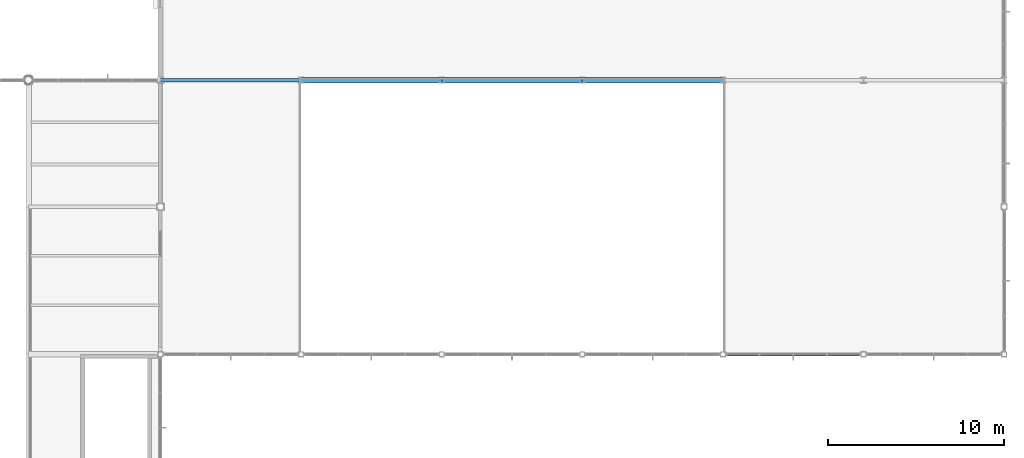
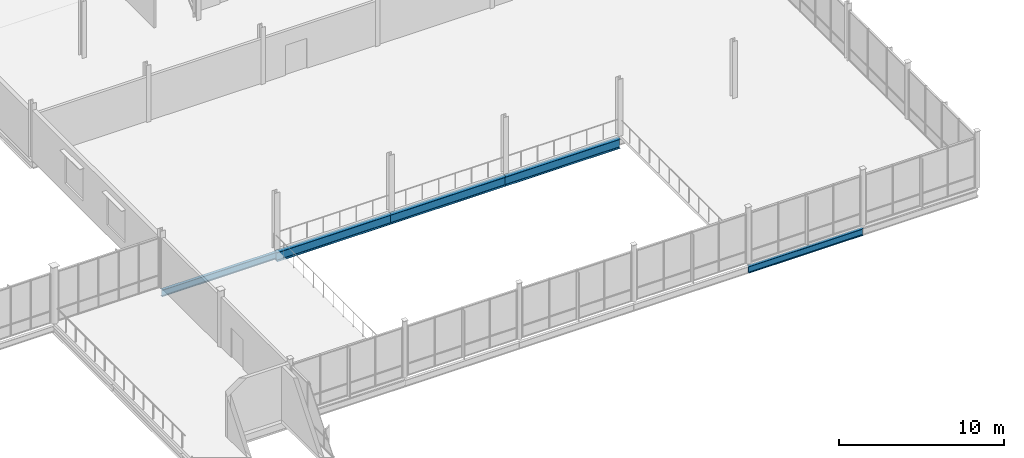
# One storey, part 28 of 75: 5 beams.
"""IFC4 building model written with IfcOpenShell, lengths in metres."""

import ifcopenshell
import ifcopenshell.guid

model = None  # the IFC model being written
_history = None  # IfcOwnerHistory: only IFC2X3 demands one
_inside = {}  # id of a spatial element -> (the spatial element, [elements in it])
_under = {}  # id of a project, library or spatial element -> (it, [spatial elements below it])
_declared = {}  # id of a project -> (the project, [libraries it declares])
_typed = {}  # id of a type object -> (the type object, [elements of that type])
_made_of = {}  # id of a material, layer set ... -> (it, [elements and type objects made of it])


def new_model(schema):
    """Start an empty IFC model of exactly this schema.

    Asked for "IFC4X3", IfcOpenShell would pick the latest addendum, in which some entities
    have other attributes; the version numbers below select the first issue.
    IFC2X3 requires an IfcOwnerHistory on every rooted entity: one is made here for all.
    """
    global model, _history
    if schema == "IFC4X3":
        model = ifcopenshell.file(schema_version=(4, 3, 0, 0))
    else:
        model = ifcopenshell.file(schema=schema)
    _inside.clear()
    _under.clear()
    _declared.clear()
    _typed.clear()
    _made_of.clear()
    _history = None
    if model.schema == "IFC2X3":
        org = make("IfcOrganization", Name="unknown")
        user = make(
            "IfcPersonAndOrganization",
            ThePerson=make("IfcPerson", FamilyName="unknown"),
            TheOrganization=org,
        )
        app = make(
            "IfcApplication",
            ApplicationDeveloper=org,
            Version="unknown",
            ApplicationFullName="unknown",
            ApplicationIdentifier="unknown",
        )
        _history = make(
            "IfcOwnerHistory",
            OwningUser=user,
            OwningApplication=app,
            ChangeAction="ADDED",
            CreationDate=0,
        )
    return model


def make(cls, **values):
    """One entity of the class cls with the attributes given. An attribute that is None is left unset."""
    return model.create_entity(
        cls, **{name: value for name, value in values.items() if value is not None}
    )


def rooted(cls, **values):
    """An entity with a GlobalId (a new one), such as an element, a storey or a relation."""
    return make(cls, GlobalId=ifcopenshell.guid.new(), OwnerHistory=_history, **values)


def si_unit(unit_type, name, prefix=None):
    """IfcSIUnit, for example si_unit("LENGTHUNIT", "METRE", prefix="MILLI")."""
    return make("IfcSIUnit", UnitType=unit_type, Prefix=prefix, Name=name)


def assignment(units):
    """IfcUnitAssignment: the units of a project."""
    return None if units is None else make("IfcUnitAssignment", Units=units)


def point(xyz):
    """IfcCartesianPoint."""
    return None if xyz is None else make("IfcCartesianPoint", Coordinates=xyz)


def direction(xyz):
    """IfcDirection."""
    return None if xyz is None else make("IfcDirection", DirectionRatios=xyz)


def frame(location, z_axis=None, x_axis=None):
    """IfcAxis2Placement3D, a coordinate frame: its origin and axes. An axis left out is left unset."""
    return make(
        "IfcAxis2Placement3D",
        Location=point(location),
        Axis=direction(z_axis),
        RefDirection=direction(x_axis),
    )


def frame_2d(location, x_axis=None):
    """IfcAxis2Placement2D, a coordinate frame in the plane: its origin and x axis."""
    return make(
        "IfcAxis2Placement2D", Location=point(location), RefDirection=direction(x_axis)
    )


def origin():
    """The frame at (0, 0, 0) with its axes left unset."""
    return frame((0.0, 0.0, 0.0))


def origin_2d():
    """The frame at (0, 0) in the plane with its x axis left unset."""
    return frame_2d((0.0, 0.0))


def place(relative_to, where):
    """IfcLocalPlacement: puts the frame where relative to a parent placement (None: the world)."""
    return make(
        "IfcLocalPlacement", PlacementRelTo=relative_to, RelativePlacement=where
    )


def context(
    kind, dimensions, precision=None, world=None, true_north=None, identifier=None
):
    """IfcGeometricRepresentationContext, for example the 3D "Model" context."""
    return make(
        "IfcGeometricRepresentationContext",
        ContextIdentifier=identifier,
        ContextType=kind,
        CoordinateSpaceDimension=dimensions,
        Precision=precision,
        WorldCoordinateSystem=world,
        TrueNorth=true_north,
    )


def subcontext(parent, identifier, kind, view, scale=None):
    """IfcGeometricRepresentationSubContext, for example "Body" below "Model"."""
    return make(
        "IfcGeometricRepresentationSubContext",
        ContextIdentifier=identifier,
        ContextType=kind,
        ParentContext=parent,
        TargetScale=scale,
        TargetView=view,
    )


def project(units=None, contexts=None):
    """IfcProject with its units and contexts."""
    return rooted(
        "IfcProject",
        Name="project",
        RepresentationContexts=contexts,
        UnitsInContext=assignment(units),
    )


def spatial(cls, under=None, at=None, **own):
    """A site, building, storey or space (cls), placed at a placement, below another one or the project."""
    s = rooted(cls, ObjectPlacement=at, **own)
    if under is not None:
        _under.setdefault(under.id(), (under, []))[1].append(s)
    return s


def profile(cls, at=None, kind="AREA", **sizes):
    """A parametric profile (cls). Its sizes go by their IFC names, for example OverallWidth=200.0."""
    return make(cls, ProfileType=kind, Position=at, **sizes)


def i_section(**sizes):
    """IfcIShapeProfileDef."""
    return profile("IfcIShapeProfileDef", **sizes)


def extrude(swept, where, along, depth):
    """IfcExtrudedAreaSolid: the profile swept, set in the frame where, extruded along a direction by depth."""
    return make(
        "IfcExtrudedAreaSolid",
        SweptArea=swept,
        Position=where,
        ExtrudedDirection=direction(along),
        Depth=depth,
    )


def shape(context_of_items, identifier, shape_type, items):
    """IfcShapeRepresentation: the items that make up one representation, for example the "Body"."""
    return make(
        "IfcShapeRepresentation",
        ContextOfItems=context_of_items,
        RepresentationIdentifier=identifier,
        RepresentationType=shape_type,
        Items=items,
    )


def material(Name=None, Category=None):
    """IfcMaterial."""
    return make("IfcMaterial", Name=Name, Category=Category)


def material_profile(
    of_material, cross_section, Name=None, Category=None, Priority=None
):
    """IfcMaterialProfile: a cross section and its material."""
    return make(
        "IfcMaterialProfile",
        Name=Name,
        Material=of_material,
        Profile=cross_section,
        Priority=Priority,
        Category=Category,
    )


def profile_set(profiles, Name=None, composite=None):
    """IfcMaterialProfileSet."""
    return make(
        "IfcMaterialProfileSet",
        Name=Name,
        MaterialProfiles=profiles,
        CompositeProfile=composite,
    )


def made_of(thing, what):
    """Note that an element or type object is made of a material, layer set ...; save() writes the relation."""
    if what is not None:
        _made_of.setdefault(what.id(), (what, []))[1].append(thing)
    return thing


def type_object(cls, material=None, **own):
    """A type object (cls), such as IfcWallType, which elements share."""
    return made_of(rooted(cls, **own), material)


def element(
    cls,
    number,
    at=None,
    inside=None,
    cuts=None,
    type_object=None,
    material=None,
    context=None,
    identifier="Body",
    shape_type=None,
    held_by="IfcProductDefinitionShape",
    body=None,
    shapes=None,
    **own,
):
    """One element of the class cls, such as IfcWall. Its Tag is "e" and its number.

    at: its placement. inside: the storey or other place that contains it. cuts: it is an
    opening in that element (IfcRelVoidsElement). A single representation is given by context,
    identifier, shape_type and body (its items); several are given by shapes. held_by: the class
    of the entity that holds the representations. save() writes the other relations.
    """
    e = rooted(cls, Tag="e%d" % number, ObjectPlacement=at, **own)
    if body is not None:
        shapes = [shape(context, identifier, shape_type, body)]
    if shapes is not None:
        e.Representation = make(held_by, Representations=shapes)
    if inside is not None:
        _inside.setdefault(inside.id(), (inside, []))[1].append(e)
    if cuts is not None:
        rooted(
            "IfcRelVoidsElement", RelatingBuildingElement=cuts, RelatedOpeningElement=e
        )
    if type_object is not None:
        _typed.setdefault(type_object.id(), (type_object, []))[1].append(e)
    return made_of(e, material)


def aggregate(whole, parts):
    """IfcRelAggregates: a whole, such as a stair, and the parts it consists of."""
    return rooted("IfcRelAggregates", RelatingObject=whole, RelatedObjects=parts)


def save(model, path):
    """Write the relations noted so far, then the file.

    IfcRelAggregates (storeys below a building ...), IfcRelContainedInSpatialStructure (elements
    in a storey), IfcRelDefinesByType, IfcRelAssociatesMaterial and IfcRelDeclares: one each for
    every whole, place, type object, material and project.
    """
    for whole, parts in _under.values():
        aggregate(whole, parts)
    for where, things in _inside.values():
        rooted(
            "IfcRelContainedInSpatialStructure",
            RelatedElements=things,
            RelatingStructure=where,
        )
    for kind, things in _typed.values():
        rooted("IfcRelDefinesByType", RelatedObjects=things, RelatingType=kind)
    for what, things in _made_of.values():
        rooted("IfcRelAssociatesMaterial", RelatedObjects=things, RelatingMaterial=what)
    for by, libraries in _declared.values():
        rooted("IfcRelDeclares", RelatingContext=by, RelatedDefinitions=libraries)
    model.write(path)


model = new_model("IFC4")

# Units and contexts
model_context = context("Model", 3, precision=1e-05, world=origin(), true_north=direction((0.0, 1.0)))
body_context = subcontext(model_context, "Body", "Model", "MODEL_VIEW")
ifc_project = project(units=[si_unit("LENGTHUNIT", "METRE"), si_unit("AREAUNIT", "SQUARE_METRE"), si_unit("VOLUMEUNIT", "CUBIC_METRE"), si_unit("PLANEANGLEUNIT", "RADIAN"), si_unit("MASSUNIT", "GRAM", prefix="KILO")], contexts=[model_context])

# Site, building, storey
site_placement = place(None, origin())
site = spatial("IfcSite", under=ifc_project, at=site_placement, CompositionType="ELEMENT")
building_placement = place(site_placement, origin())
building = spatial("IfcBuilding", under=site, at=building_placement, Name="Yukiwa Park Conservatory and Herbarium", CompositionType="ELEMENT")
storey_placement = place(building_placement, frame((0.0, 0.0, 4.800048828125)))
storey = spatial("IfcBuildingStorey", under=building, at=storey_placement, Name="L01", CompositionType="ELEMENT", Elevation=4.800048828125)

# Beams
ifc_material_1 = material(Name="Steel Q355D", Category="steel")
ifc_material_profile_1 = material_profile(ifc_material_1, i_section(OverallWidth=0.199951171875, OverallDepth=0.5, WebThickness=0.010009765625, FlangeThickness=0.01611328125, FilletRadius=0.02001953125, at=origin_2d()), Name="HN 500x200x10x16")
ifc_profile_set_1 = profile_set([ifc_material_profile_1], Name="Steel Q355D")
beam_type_1 = type_object("IfcBeamType", Name="BM-GRD-HN500", PredefinedType="BEAM", material=ifc_profile_set_1)
for number, where, z_axis, x_axis, name in (
    (1, (92.006103515625, 15.60009765625, -0.489990234375), (1.0, 0.0, 0.0), (0.0, 1.0, 0.0), "L01 grid beam X-15"),
    (2, (60.006103515625, 31.199951171875, -0.489990234375), (1.0, 0.0, 0.0), (0.0, 1.0, 0.0), "L01 grid beam X-26"),
):
    element("IfcBeam", number, at=place(storey_placement, frame(where, z_axis=z_axis, x_axis=x_axis)), inside=storey, type_object=beam_type_1, Name=name, PredefinedType="BEAM", context=body_context, shape_type="SweptSolid", body=[
        extrude(i_section(OverallWidth=0.199951171875, OverallDepth=0.5, WebThickness=0.010009765625, FlangeThickness=0.01611328125, FilletRadius=0.02001953125, at=origin_2d()), origin(), (0.0, 0.0, 1.0), 7.98779296875),
    ])
ifc_material_2 = material(Name="Steel Q355D", Category="steel")
ifc_material_profile_2 = material_profile(ifc_material_2, i_section(OverallWidth=0.300048828125, OverallDepth=0.69189453125, WebThickness=0.012939453125, FlangeThickness=0.02001953125, FilletRadius=0.028076171875, at=origin_2d()), Name="HN 692x300x13x20")
ifc_profile_set_2 = profile_set([ifc_material_profile_2], Name="Steel Q355D")
beam_type_2 = type_object("IfcBeamType", Name="BM-SPN-HN550", PredefinedType="SPANDREL", material=ifc_profile_set_2)
for number, where, z_axis, x_axis, name in (
    (3, (68.006103515625, 31.199951171875, -0.5859375), (1.0, 0.0, 0.0), (0.0, 1.0, 0.0), "L01 spandrel beam X-27"),
    (4, (76.006103515625, 31.199951171875, -0.5859375), (1.0, 0.0, 0.0), (0.0, 1.0, 0.0), "L01 spandrel beam X-28"),
    (5, (84.006103515625, 31.199951171875, -0.5859375), (1.0, 0.0, 0.0), (0.0, 1.0, 0.0), "L01 spandrel beam X-29"),
):
    element("IfcBeam", number, at=place(storey_placement, frame(where, z_axis=z_axis, x_axis=x_axis)), inside=storey, type_object=beam_type_2, Name=name, PredefinedType="SPANDREL", context=body_context, shape_type="SweptSolid", body=[
        extrude(i_section(OverallWidth=0.300048828125, OverallDepth=0.69189453125, WebThickness=0.012939453125, FlangeThickness=0.02001953125, FilletRadius=0.028076171875, at=origin_2d()), origin(), (0.0, 0.0, 1.0), 7.98779296875),
    ])

save(model, "model.ifc")
